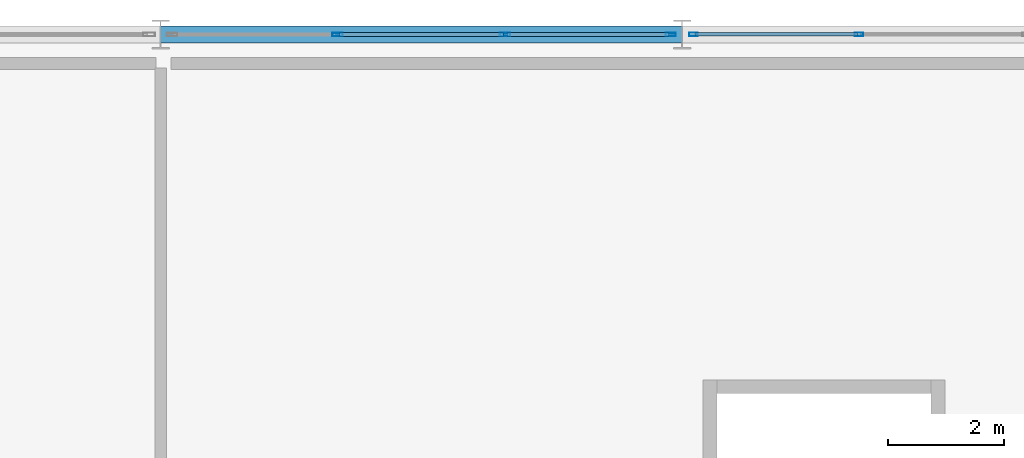
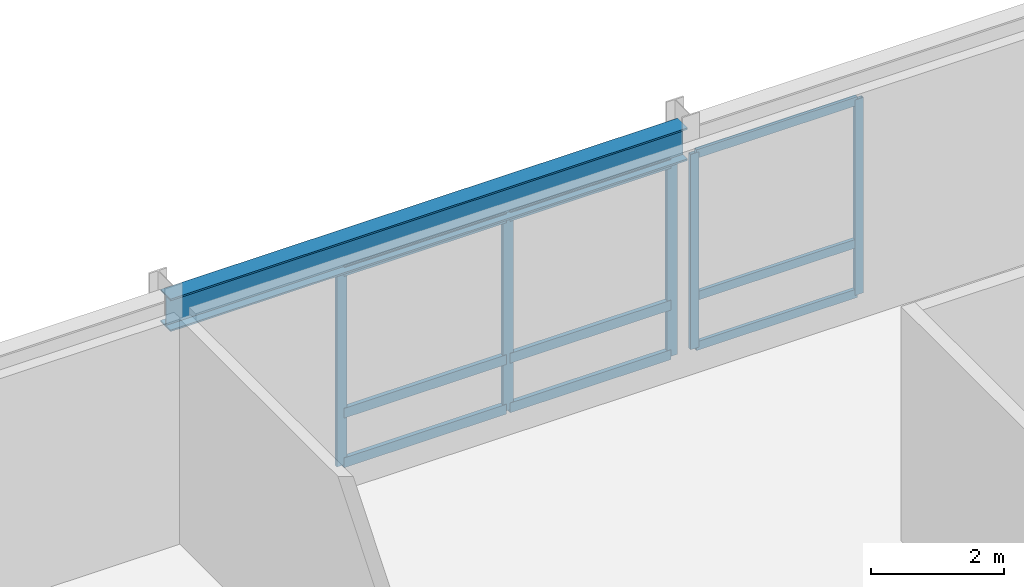
# One storey, part 37 of 67: 14 members, 1 beam, 2 elements without a shape of their own.
"""IFC4 building model written with IfcOpenShell, lengths in metres."""

from ifc_helpers import new_model, si_unit, direction, frame, origin, origin_2d, place, context, subcontext, project, spatial, hollow_rectangle, i_section, extrude, material, layer, layer_set, material_profile, profile_set, type_object, element, aggregate, save


model = new_model("IFC4")

# Units and contexts
model_context = context("Model", 3, precision=1e-05, world=origin(), true_north=direction((0.0, 1.0)))
body_context = subcontext(model_context, "Body", "Model", "MODEL_VIEW")
ifc_project = project(units=[si_unit("LENGTHUNIT", "METRE"), si_unit("AREAUNIT", "SQUARE_METRE"), si_unit("VOLUMEUNIT", "CUBIC_METRE"), si_unit("PLANEANGLEUNIT", "RADIAN"), si_unit("MASSUNIT", "GRAM", prefix="KILO")], contexts=[model_context])

# Site, building, storey
site_placement = place(None, origin())
site = spatial("IfcSite", under=ifc_project, at=site_placement, CompositionType="ELEMENT")
building_placement = place(site_placement, origin())
building = spatial("IfcBuilding", under=site, at=building_placement, Name="Montelvaro Courts of Justice", CompositionType="ELEMENT")
storey_placement = place(building_placement, frame((0.0, 0.0, 18.89990234375)))
storey = spatial("IfcBuildingStorey", under=building, at=storey_placement, Name="L04", CompositionType="ELEMENT", Elevation=18.89990234375)

# Beam
ifc_material_1 = material(Name="Steel S355", Category="steel")
ifc_material_profile_1 = material_profile(ifc_material_1, i_section(OverallWidth=0.300048828125, OverallDepth=0.60009765625, WebThickness=0.015380859375, FlangeThickness=0.030029296875, at=origin_2d()), Name="HEB 600")
ifc_profile_set_1 = profile_set([ifc_material_profile_1], Name="Steel S355")
beam_type = type_object("IfcBeamType", Name="Beam_HEB600", PredefinedType="USERDEFINED", material=ifc_profile_set_1)
beam_placement = place(storey_placement, frame((144.0, 96.0, 3.900146484375), z_axis=(1.0, 0.0, 0.0), x_axis=(0.0, 1.0, 0.0)))
element("IfcBeam", 1, at=beam_placement, inside=storey, type_object=beam_type, Name="V2 Roof Eave Girder", ObjectType="GIRDER", PredefinedType="USERDEFINED", context=body_context, shape_type="SweptSolid", body=[
    extrude(i_section(OverallWidth=0.300048828125, OverallDepth=0.60009765625, WebThickness=0.015380859375, FlangeThickness=0.030029296875, at=origin_2d()), origin(), (0.0, 0.0, 1.0), 9.0),
])

# Curtain wall, members
ifc_material_2 = material(Name="Anodised aluminium EN AW-6063", Category="aluminium")
ifc_layer = layer(ifc_material_2, 0.159912109375)
ifc_layer_set = layer_set([ifc_layer], Name="Anodised aluminium EN AW-6063")
curtain_wall_type = type_object("IfcCurtainWallType", Name="CurtainWall_14_867x418", PredefinedType="USERDEFINED", material=ifc_layer_set)
curtain_wall_1_placement = place(storey_placement, origin())
curtain_wall_1 = element("IfcCurtainWall", 2, at=curtain_wall_1_placement, inside=storey, type_object=curtain_wall_type, Name="Curtain Wall CW-14 (L04)", ObjectType="CURTAIN WALL", PredefinedType="USERDEFINED")
ifc_material_profile_2 = material_profile(ifc_material_2, hollow_rectangle(XDim=0.06005859375, YDim=0.14990234375, WallThickness=0.00390625, at=origin_2d()), Name="ALU-M 60x150")
ifc_profile_set_2 = profile_set([ifc_material_profile_2], Name="Anodised aluminium EN AW-6063")
member_type_1 = type_object("IfcMemberType", Name="CurtainWall_Mullion_60x150", PredefinedType="MULLION", material=ifc_profile_set_2)
member_1_placement = place(storey_placement, frame((156.054931640625, 96.0, 0.0), z_axis=(0.0, 0.0, 1.0), x_axis=(0.0, -1.0, 0.0)))
member_1 = element("IfcMember", 3, at=member_1_placement, type_object=member_type_1, Name="CW-14 mullion 3", PredefinedType="MULLION", context=body_context, shape_type="SweptSolid", body=[
    extrude(hollow_rectangle(XDim=0.06005859375, YDim=0.14990234375, WallThickness=0.00390625, at=origin_2d()), origin(), (0.0, 0.0, 1.0), 3.59521484375),
])
member_2_placement = place(storey_placement, frame((153.195068359375, 96.0, 0.0), z_axis=(0.0, 0.0, 1.0), x_axis=(0.0, -1.0, 0.0)))
member_2 = element("IfcMember", 4, at=member_2_placement, type_object=member_type_1, Name="CW-14 mullion 4", PredefinedType="MULLION", context=body_context, shape_type="SweptSolid", body=[
    extrude(hollow_rectangle(XDim=0.06005859375, YDim=0.14990234375, WallThickness=0.00390625, at=origin_2d()), origin(), (0.0, 0.0, 1.0), 3.59521484375),
])

curtain_wall_2_placement = place(storey_placement, origin())
curtain_wall_2 = element("IfcCurtainWall", 5, at=curtain_wall_2_placement, inside=storey, type_object=curtain_wall_type, Name="Curtain Wall CW-14 (L04)", ObjectType="CURTAIN WALL", PredefinedType="USERDEFINED")
ifc_material_profile_3 = material_profile(ifc_material_2, hollow_rectangle(XDim=0.06005859375, YDim=0.179931640625, WallThickness=0.00439453125, at=origin_2d()), Name="ALU-M 60x180")
ifc_profile_set_3 = profile_set([ifc_material_profile_3], Name="Anodised aluminium EN AW-6063")
member_type_2 = type_object("IfcMemberType", Name="CurtainWall_Mullion_60x180", PredefinedType="MULLION", material=ifc_profile_set_3)
member_3_placement = place(storey_placement, frame((152.804931640625, 96.0, 0.0), z_axis=(0.0, 0.0, 1.0), x_axis=(0.0, -1.0, 0.0)))
member_3 = element("IfcMember", 6, at=member_3_placement, type_object=member_type_2, Name="CW-14 mullion 1", PredefinedType="MULLION", context=body_context, shape_type="SweptSolid", body=[
    extrude(hollow_rectangle(XDim=0.06005859375, YDim=0.179931640625, WallThickness=0.00439453125, at=origin_2d()), origin(), (0.0, 0.0, 1.0), 3.59521484375),
])
member_4_placement = place(storey_placement, frame((149.945068359375, 96.0, 0.0), z_axis=(0.0, 0.0, 1.0), x_axis=(0.0, -1.0, 0.0)))
member_4 = element("IfcMember", 7, at=member_4_placement, type_object=member_type_2, Name="CW-14 mullion 2", PredefinedType="MULLION", context=body_context, shape_type="SweptSolid", body=[
    extrude(hollow_rectangle(XDim=0.06005859375, YDim=0.179931640625, WallThickness=0.00439453125, at=origin_2d()), origin(), (0.0, 0.0, 1.0), 3.59521484375),
])
member_5_placement = place(storey_placement, frame((147.054931640625, 96.0, 0.0), z_axis=(0.0, 0.0, 1.0), x_axis=(0.0, -1.0, 0.0)))
member_5 = element("IfcMember", 8, at=member_5_placement, type_object=member_type_2, Name="CW-14 mullion 3", PredefinedType="MULLION", context=body_context, shape_type="SweptSolid", body=[
    extrude(hollow_rectangle(XDim=0.06005859375, YDim=0.179931640625, WallThickness=0.00439453125, at=origin_2d()), origin(), (0.0, 0.0, 1.0), 3.59521484375),
])

# Member
ifc_material_profile_4 = material_profile(ifc_material_2, hollow_rectangle(XDim=0.06005859375, YDim=0.159912109375, WallThickness=0.00439453125, at=origin_2d()), Name="ALU-T 60x160")
ifc_profile_set_4 = profile_set([ifc_material_profile_4], Name="Anodised aluminium EN AW-6063")
member_type_3 = type_object("IfcMemberType", Name="CurtainWall_Transom_60x160", PredefinedType="USERDEFINED", material=ifc_profile_set_4)
member_6_placement = place(storey_placement, frame((156.02490234375, 96.0, 0.030029296875), z_axis=(-1.0, 0.0, 0.0), x_axis=(0.0, -1.0, 0.0)))
member_6 = element("IfcMember", 9, at=member_6_placement, type_object=member_type_3, Name="CW-14 transom 3.1", ObjectType="TRANSOM", PredefinedType="USERDEFINED", context=body_context, shape_type="SweptSolid", body=[
    extrude(hollow_rectangle(XDim=0.06005859375, YDim=0.159912109375, WallThickness=0.00439453125, at=origin_2d()), origin(), (0.0, 0.0, 1.0), 2.7998046875),
])

member_7_placement = place(storey_placement, frame((156.02490234375, 96.0, 0.9501953125), z_axis=(-1.0, 0.0, 0.0), x_axis=(0.0, -1.0, 0.0)))
member_7 = element("IfcMember", 10, at=member_7_placement, type_object=member_type_3, Name="CW-14 transom 3.2", ObjectType="TRANSOM", PredefinedType="USERDEFINED", context=body_context, shape_type="SweptSolid", body=[
    extrude(hollow_rectangle(XDim=0.06005859375, YDim=0.159912109375, WallThickness=0.00439453125, at=origin_2d()), origin(), (0.0, 0.0, 1.0), 2.7998046875),
])

member_8_placement = place(storey_placement, frame((156.02490234375, 96.0, 3.565185546875), z_axis=(-1.0, 0.0, 0.0), x_axis=(0.0, -1.0, 0.0)))
member_8 = element("IfcMember", 11, at=member_8_placement, type_object=member_type_3, Name="CW-14 transom 3.3", ObjectType="TRANSOM", PredefinedType="USERDEFINED", context=body_context, shape_type="SweptSolid", body=[
    extrude(hollow_rectangle(XDim=0.06005859375, YDim=0.159912109375, WallThickness=0.00439453125, at=origin_2d()), origin(), (0.0, 0.0, 1.0), 2.7998046875),
])

aggregate(curtain_wall_1, [member_1, member_2, member_6, member_7, member_8])

ifc_material_profile_5 = material_profile(ifc_material_2, hollow_rectangle(XDim=0.074951171875, YDim=0.179931640625, WallThickness=0.0048828125, at=origin_2d()), Name="ALU-T 75x180")
ifc_profile_set_5 = profile_set([ifc_material_profile_5], Name="Anodised aluminium EN AW-6063")
member_type_4 = type_object("IfcMemberType", Name="CurtainWall_Transom_75x180", PredefinedType="USERDEFINED", material=ifc_profile_set_5)
member_9_placement = place(storey_placement, frame((152.77490234375, 96.0, 0.03759765625), z_axis=(-1.0, 0.0, 0.0), x_axis=(0.0, -1.0, 0.0)))
member_9 = element("IfcMember", 12, at=member_9_placement, type_object=member_type_4, Name="CW-14 transom 1.1", ObjectType="TRANSOM", PredefinedType="USERDEFINED", context=body_context, shape_type="SweptSolid", body=[
    extrude(hollow_rectangle(XDim=0.074951171875, YDim=0.179931640625, WallThickness=0.0048828125, at=origin_2d()), origin(), (0.0, 0.0, 1.0), 2.7998046875),
])

member_10_placement = place(storey_placement, frame((152.77490234375, 96.0, 0.9501953125), z_axis=(-1.0, 0.0, 0.0), x_axis=(0.0, -1.0, 0.0)))
member_10 = element("IfcMember", 13, at=member_10_placement, type_object=member_type_4, Name="CW-14 transom 1.2", ObjectType="TRANSOM", PredefinedType="USERDEFINED", context=body_context, shape_type="SweptSolid", body=[
    extrude(hollow_rectangle(XDim=0.074951171875, YDim=0.179931640625, WallThickness=0.0048828125, at=origin_2d()), origin(), (0.0, 0.0, 1.0), 2.7998046875),
])

member_11_placement = place(storey_placement, frame((152.77490234375, 96.0, 3.5576171875), z_axis=(-1.0, 0.0, 0.0), x_axis=(0.0, -1.0, 0.0)))
member_11 = element("IfcMember", 14, at=member_11_placement, type_object=member_type_4, Name="CW-14 transom 1.3", ObjectType="TRANSOM", PredefinedType="USERDEFINED", context=body_context, shape_type="SweptSolid", body=[
    extrude(hollow_rectangle(XDim=0.074951171875, YDim=0.179931640625, WallThickness=0.0048828125, at=origin_2d()), origin(), (0.0, 0.0, 1.0), 2.7998046875),
])

member_12_placement = place(storey_placement, frame((149.9150390625, 96.0, 0.03759765625), z_axis=(-1.0, 0.0, 0.0), x_axis=(0.0, -1.0, 0.0)))
member_12 = element("IfcMember", 15, at=member_12_placement, type_object=member_type_4, Name="CW-14 transom 2.1", ObjectType="TRANSOM", PredefinedType="USERDEFINED", context=body_context, shape_type="SweptSolid", body=[
    extrude(hollow_rectangle(XDim=0.074951171875, YDim=0.179931640625, WallThickness=0.0048828125, at=origin_2d()), origin(), (0.0, 0.0, 1.0), 2.830078125),
])

member_13_placement = place(storey_placement, frame((149.9150390625, 96.0, 0.9501953125), z_axis=(-1.0, 0.0, 0.0), x_axis=(0.0, -1.0, 0.0)))
member_13 = element("IfcMember", 16, at=member_13_placement, type_object=member_type_4, Name="CW-14 transom 2.2", ObjectType="TRANSOM", PredefinedType="USERDEFINED", context=body_context, shape_type="SweptSolid", body=[
    extrude(hollow_rectangle(XDim=0.074951171875, YDim=0.179931640625, WallThickness=0.0048828125, at=origin_2d()), origin(), (0.0, 0.0, 1.0), 2.830078125),
])

member_14_placement = place(storey_placement, frame((149.9150390625, 96.0, 3.5576171875), z_axis=(-1.0, 0.0, 0.0), x_axis=(0.0, -1.0, 0.0)))
member_14 = element("IfcMember", 17, at=member_14_placement, type_object=member_type_4, Name="CW-14 transom 2.3", ObjectType="TRANSOM", PredefinedType="USERDEFINED", context=body_context, shape_type="SweptSolid", body=[
    extrude(hollow_rectangle(XDim=0.074951171875, YDim=0.179931640625, WallThickness=0.0048828125, at=origin_2d()), origin(), (0.0, 0.0, 1.0), 2.830078125),
])

aggregate(curtain_wall_2, [member_3, member_4, member_5, member_9, member_10, member_11, member_12, member_13, member_14])

save(model, "model.ifc")
